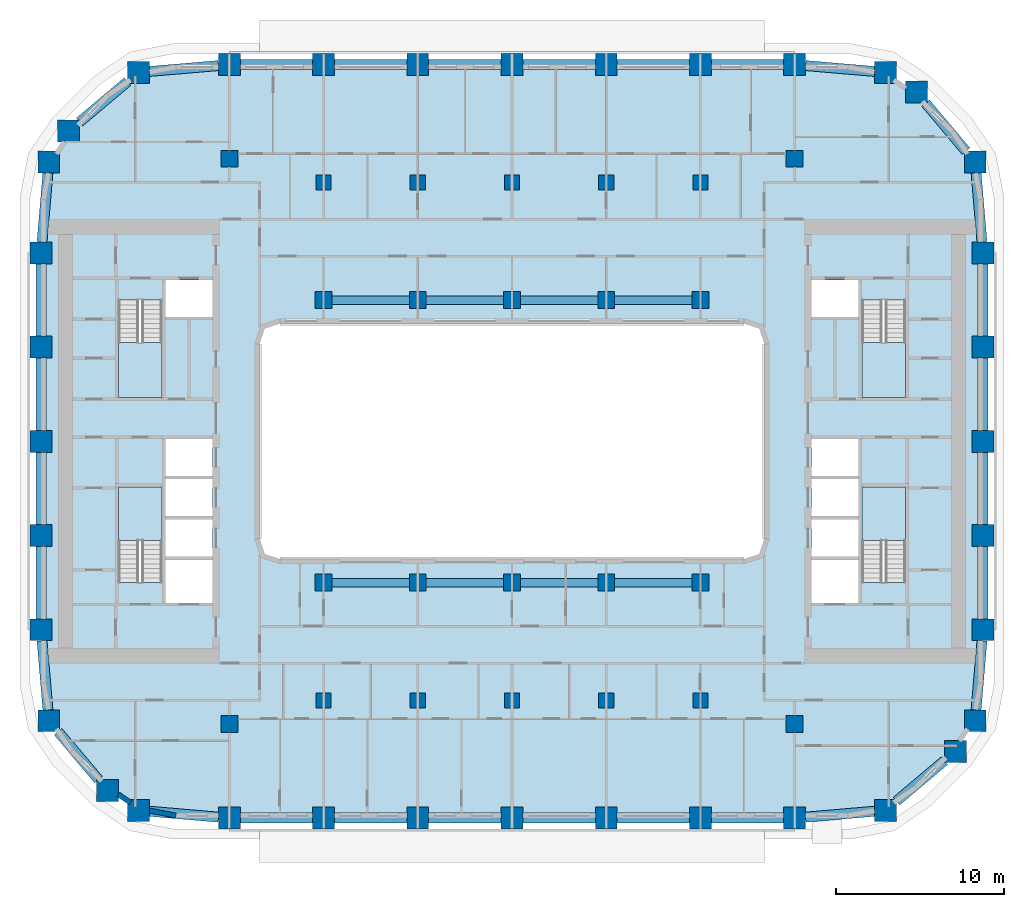
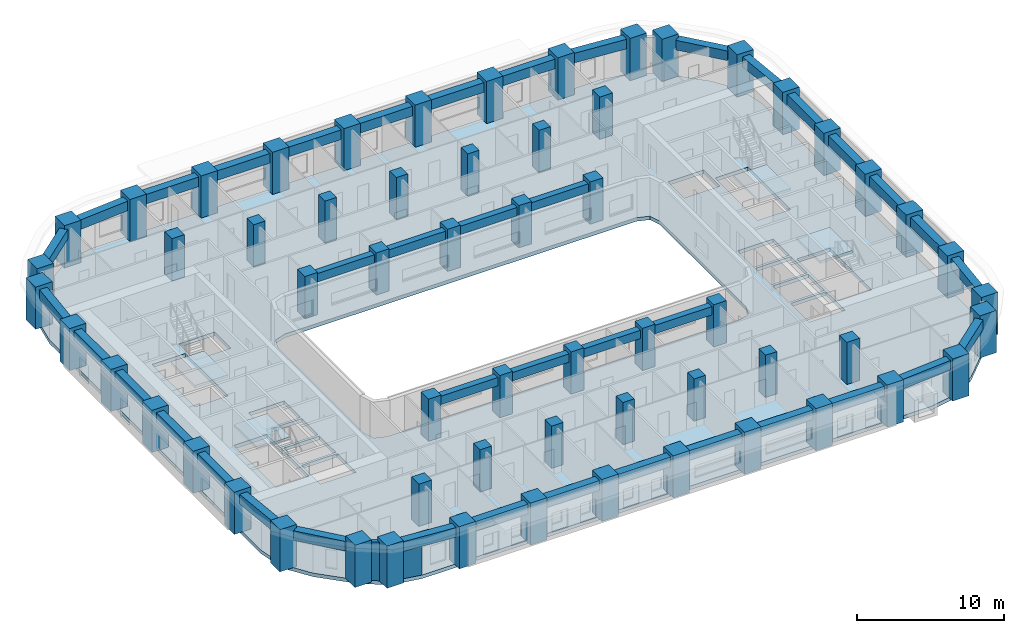
# One storey, part 1 of 23: 60 columns, 40 beams, 5 slabs, 2 walls, 4 elements without a shape of their own.
"""IFC4 building model written with IfcOpenShell, lengths in metres."""

from ifc_helpers import new_model, si_unit, direction, frame, frame_2d, origin, origin_2d, place, context, subcontext, project, spatial, polyline, rectangle, outline, extrude, material, layer, layer_set, material_profile, profile_set, type_object, element, aggregate, save


model = new_model("IFC4")

# Units and contexts
model_context = context("Model", 3, precision=1e-05, world=origin(), true_north=direction((0.0, 1.0)))
body_context = subcontext(model_context, "Body", "Model", "MODEL_VIEW")
ifc_project = project(units=[si_unit("LENGTHUNIT", "METRE"), si_unit("AREAUNIT", "SQUARE_METRE"), si_unit("VOLUMEUNIT", "CUBIC_METRE"), si_unit("PLANEANGLEUNIT", "RADIAN"), si_unit("MASSUNIT", "GRAM", prefix="KILO")], contexts=[model_context])

# Site, building, storey
site_placement = place(None, origin())
site = spatial("IfcSite", under=ifc_project, at=site_placement, CompositionType="ELEMENT")
building_placement = place(site_placement, origin())
building = spatial("IfcBuilding", under=site, at=building_placement, Name="Kiln Ring Residences", CompositionType="ELEMENT")
storey_placement = place(building_placement, frame((0.0, 0.0, 86.800048828125)))
storey = spatial("IfcBuildingStorey", under=building, at=storey_placement, Name="L21", CompositionType="ELEMENT", Elevation=86.800048828125)

# Columns
ifc_material_1 = material(Name="Concrete C80/95", Category="concrete")
ifc_material_profile_1 = material_profile(ifc_material_1, rectangle(XDim=0.89990234375, YDim=0.89990234375, at=origin_2d()), Name="RC900x900")
ifc_profile_set_1 = profile_set([ifc_material_profile_1], Name="Concrete C80/95")
column_type_1 = type_object("IfcColumnType", Name="Corridor column RC900x900 C80/95", PredefinedType="COLUMN", material=ifc_profile_set_1)
for number, where, z_axis, x_axis, name in (
    (1, (-11.199951171875, 15.39990234375, 0.0), (0.0, 0.0, 1.0), (1.0, 0.0, 0.0), "Corridor column L21 1"),
    (2, (-5.60009765625, 15.39990234375, 0.0), (0.0, 0.0, 1.0), (1.0, 0.0, 0.0), "Corridor column L21 2"),
    (3, (0.0, 15.39990234375, 0.0), (0.0, 0.0, 1.0), (1.0, 0.0, 0.0), "Corridor column L21 3"),
    (4, (5.60009765625, 15.39990234375, 0.0), (0.0, 0.0, 1.0), (1.0, 0.0, 0.0), "Corridor column L21 4"),
    (5, (11.199951171875, 15.39990234375, 0.0), (0.0, 0.0, 1.0), (1.0, 0.0, 0.0), "Corridor column L21 5"),
    (6, (-11.199951171875, -15.39990234375, 0.0), (0.0, 0.0, 1.0), (1.0, 0.0, 0.0), "Corridor column L21 6"),
    (7, (-5.60009765625, -15.39990234375, 0.0), (0.0, 0.0, 1.0), (1.0, 0.0, 0.0), "Corridor column L21 7"),
    (8, (0.0, -15.39990234375, 0.0), (0.0, 0.0, 1.0), (1.0, 0.0, 0.0), "Corridor column L21 8"),
    (9, (5.60009765625, -15.39990234375, 0.0), (0.0, 0.0, 1.0), (1.0, 0.0, 0.0), "Corridor column L21 9"),
    (10, (11.199951171875, -15.39990234375, 0.0), (0.0, 0.0, 1.0), (1.0, 0.0, 0.0), "Corridor column L21 10"),
):
    element("IfcColumn", number, at=place(storey_placement, frame(where, z_axis=z_axis, x_axis=x_axis)), inside=storey, type_object=column_type_1, Name=name, PredefinedType="COLUMN", context=body_context, shape_type="SweptSolid", body=[
        extrude(rectangle(XDim=0.89990234375, YDim=0.89990234375, at=origin_2d()), origin(), (0.0, 0.0, 1.0), 3.5),
    ])
ifc_material_2 = material(Name="Concrete C80/95", Category="concrete")
ifc_material_profile_2 = material_profile(ifc_material_2, rectangle(XDim=1.300048828125, YDim=1.300048828125, at=origin_2d()), Name="RC1300x1300")
ifc_profile_set_2 = profile_set([ifc_material_profile_2], Name="Concrete C80/95")
column_type_2 = type_object("IfcColumnType", Name="Perimeter column RC1300x1300 C80/95", PredefinedType="COLUMN", material=ifc_profile_set_2)
for number, where, z_axis, x_axis, name in (
    (11, (-22.208740234375, -21.93798828125, 0.0), (0.0, 0.0, 1.0), (1.0, 0.0, 0.0), "Perimeter column L21 1"),
    (12, (-16.800048828125, -22.39990234375, 0.0), (0.0, 0.0, 1.0), (1.0, 0.0, 0.0), "Perimeter column L21 2"),
    (13, (-11.199951171875, -22.39990234375, 0.0), (0.0, 0.0, 1.0), (1.0, 0.0, 0.0), "Perimeter column L21 3"),
    (14, (-5.60009765625, -22.39990234375, 0.0), (0.0, 0.0, 1.0), (1.0, 0.0, 0.0), "Perimeter column L21 4"),
    (15, (0.0, -22.39990234375, 0.0), (0.0, 0.0, 1.0), (1.0, 0.0, 0.0), "Perimeter column L21 5"),
    (16, (5.60009765625, -22.39990234375, 0.0), (0.0, 0.0, 1.0), (1.0, 0.0, 0.0), "Perimeter column L21 6"),
    (17, (11.199951171875, -22.39990234375, 0.0), (0.0, 0.0, 1.0), (1.0, 0.0, 0.0), "Perimeter column L21 7"),
    (18, (16.800048828125, -22.39990234375, 0.0), (0.0, 0.0, 1.0), (1.0, 0.0, 0.0), "Perimeter column L21 8"),
    (19, (22.208740234375, -21.93798828125, 0.0), (0.0, 0.0, 1.0), (1.0, 0.0, 0.0), "Perimeter column L21 9"),
    (20, (26.35986328125, -18.440185546875, 0.0), (0.0, 0.0, 1.0), (1.0, 0.0, 0.0), "Perimeter column L21 10"),
    (21, (27.5380859375, -16.608642578125, 0.0), (0.0, 0.0, 1.0), (1.0, 0.0, 0.0), "Perimeter column L21 11"),
    (22, (28.0, -11.199951171875, 0.0), (0.0, 0.0, 1.0), (1.0, 0.0, 0.0), "Perimeter column L21 12"),
    (23, (28.0, -5.60009765625, 0.0), (0.0, 0.0, 1.0), (1.0, 0.0, 0.0), "Perimeter column L21 13"),
    (24, (28.0, 0.0, 0.0), (0.0, 0.0, 1.0), (1.0, 0.0, 0.0), "Perimeter column L21 14"),
    (25, (28.0, 5.60009765625, 0.0), (0.0, 0.0, 1.0), (1.0, 0.0, 0.0), "Perimeter column L21 15"),
    (26, (28.0, 11.199951171875, 0.0), (0.0, 0.0, 1.0), (1.0, 0.0, 0.0), "Perimeter column L21 16"),
    (27, (27.5380859375, 16.608642578125, 0.0), (0.0, 0.0, 1.0), (1.0, 0.0, 0.0), "Perimeter column L21 17"),
    (28, (24.040283203125, 20.759765625, 0.0), (0.0, 0.0, 1.0), (1.0, 0.0, 0.0), "Perimeter column L21 18"),
    (29, (22.208740234375, 21.93798828125, 0.0), (0.0, 0.0, 1.0), (1.0, 0.0, 0.0), "Perimeter column L21 19"),
    (30, (16.800048828125, 22.39990234375, 0.0), (0.0, 0.0, 1.0), (1.0, 0.0, 0.0), "Perimeter column L21 20"),
    (31, (11.199951171875, 22.39990234375, 0.0), (0.0, 0.0, 1.0), (1.0, 0.0, 0.0), "Perimeter column L21 21"),
    (32, (5.60009765625, 22.39990234375, 0.0), (0.0, 0.0, 1.0), (1.0, 0.0, 0.0), "Perimeter column L21 22"),
    (33, (0.0, 22.39990234375, 0.0), (0.0, 0.0, 1.0), (1.0, 0.0, 0.0), "Perimeter column L21 23"),
    (34, (-5.60009765625, 22.39990234375, 0.0), (0.0, 0.0, 1.0), (1.0, 0.0, 0.0), "Perimeter column L21 24"),
    (35, (-11.199951171875, 22.39990234375, 0.0), (0.0, 0.0, 1.0), (1.0, 0.0, 0.0), "Perimeter column L21 25"),
    (36, (-16.800048828125, 22.39990234375, 0.0), (0.0, 0.0, 1.0), (1.0, 0.0, 0.0), "Perimeter column L21 26"),
    (37, (-22.208740234375, 21.93798828125, 0.0), (0.0, 0.0, 1.0), (1.0, 0.0, 0.0), "Perimeter column L21 27"),
    (38, (-26.35986328125, 18.440185546875, 0.0), (0.0, 0.0, 1.0), (1.0, 0.0, 0.0), "Perimeter column L21 28"),
    (39, (-27.5380859375, 16.608642578125, 0.0), (0.0, 0.0, 1.0), (1.0, 0.0, 0.0), "Perimeter column L21 29"),
    (40, (-28.0, 11.199951171875, 0.0), (0.0, 0.0, 1.0), (1.0, 0.0, 0.0), "Perimeter column L21 30"),
    (41, (-28.0, 5.60009765625, 0.0), (0.0, 0.0, 1.0), (1.0, 0.0, 0.0), "Perimeter column L21 31"),
    (42, (-28.0, 0.0, 0.0), (0.0, 0.0, 1.0), (1.0, 0.0, 0.0), "Perimeter column L21 32"),
    (43, (-28.0, -5.60009765625, 0.0), (0.0, 0.0, 1.0), (1.0, 0.0, 0.0), "Perimeter column L21 33"),
    (44, (-28.0, -11.199951171875, 0.0), (0.0, 0.0, 1.0), (1.0, 0.0, 0.0), "Perimeter column L21 34"),
    (45, (-27.5380859375, -16.608642578125, 0.0), (0.0, 0.0, 1.0), (1.0, 0.0, 0.0), "Perimeter column L21 35"),
    (46, (-24.040283203125, -20.759765625, 0.0), (0.0, 0.0, 1.0), (1.0, 0.0, 0.0), "Perimeter column L21 36"),
):
    element("IfcColumn", number, at=place(storey_placement, frame(where, z_axis=z_axis, x_axis=x_axis)), inside=storey, type_object=column_type_2, Name=name, PredefinedType="COLUMN", context=body_context, shape_type="SweptSolid", body=[
        extrude(rectangle(XDim=1.300048828125, YDim=1.300048828125, at=origin_2d()), origin(), (0.0, 0.0, 1.0), 3.5),
    ])
ifc_material_3 = material(Name="Concrete C80/95", Category="concrete")
ifc_material_profile_3 = material_profile(ifc_material_3, rectangle(XDim=1.0, YDim=1.0, at=origin_2d()), Name="RC1000x1000")
ifc_profile_set_3 = profile_set([ifc_material_profile_3], Name="Concrete C80/95")
column_type_3 = type_object("IfcColumnType", Name="Ring column RC1000x1000 C80/95", PredefinedType="COLUMN", material=ifc_profile_set_3)
for number, where, z_axis, x_axis, name in (
    (47, (-16.800048828125, -16.800048828125, 0.0), (0.0, 0.0, 1.0), (1.0, 0.0, 0.0), "Ring column L21 1"),
    (48, (-16.800048828125, 16.800048828125, 0.0), (0.0, 0.0, 1.0), (1.0, 0.0, 0.0), "Ring column L21 2"),
    (49, (-11.199951171875, -8.39990234375, 0.0), (0.0, 0.0, 1.0), (1.0, 0.0, 0.0), "Ring column L21 3"),
    (50, (-11.199951171875, 8.39990234375, 0.0), (0.0, 0.0, 1.0), (1.0, 0.0, 0.0), "Ring column L21 4"),
    (51, (-5.60009765625, -8.39990234375, 0.0), (0.0, 0.0, 1.0), (1.0, 0.0, 0.0), "Ring column L21 5"),
    (52, (-5.60009765625, 8.39990234375, 0.0), (0.0, 0.0, 1.0), (1.0, 0.0, 0.0), "Ring column L21 6"),
    (53, (0.0, -8.39990234375, 0.0), (0.0, 0.0, 1.0), (1.0, 0.0, 0.0), "Ring column L21 7"),
    (54, (0.0, 8.39990234375, 0.0), (0.0, 0.0, 1.0), (1.0, 0.0, 0.0), "Ring column L21 8"),
    (55, (5.60009765625, -8.39990234375, 0.0), (0.0, 0.0, 1.0), (1.0, 0.0, 0.0), "Ring column L21 9"),
    (56, (5.60009765625, 8.39990234375, 0.0), (0.0, 0.0, 1.0), (1.0, 0.0, 0.0), "Ring column L21 10"),
    (57, (11.199951171875, -8.39990234375, 0.0), (0.0, 0.0, 1.0), (1.0, 0.0, 0.0), "Ring column L21 11"),
    (58, (11.199951171875, 8.39990234375, 0.0), (0.0, 0.0, 1.0), (1.0, 0.0, 0.0), "Ring column L21 12"),
    (59, (16.800048828125, -16.800048828125, 0.0), (0.0, 0.0, 1.0), (1.0, 0.0, 0.0), "Ring column L21 13"),
    (60, (16.800048828125, 16.800048828125, 0.0), (0.0, 0.0, 1.0), (1.0, 0.0, 0.0), "Ring column L21 14"),
):
    element("IfcColumn", number, at=place(storey_placement, frame(where, z_axis=z_axis, x_axis=x_axis)), inside=storey, type_object=column_type_3, Name=name, PredefinedType="COLUMN", context=body_context, shape_type="SweptSolid", body=[
        extrude(rectangle(XDim=1.0, YDim=1.0, at=origin_2d()), origin(), (0.0, 0.0, 1.0), 3.5),
    ])

# Beams
ifc_material_4 = material(Name="Concrete C50/60", Category="concrete")
ifc_material_profile_4 = material_profile(ifc_material_4, rectangle(XDim=0.5, YDim=0.699951171875, at=origin_2d()), Name="RC500x700")
ifc_profile_set_4 = profile_set([ifc_material_profile_4], Name="Concrete C50/60")
beam_type_1 = type_object("IfcBeamType", Name="Ring beam RC500x700 C50/60", PredefinedType="BEAM", material=ifc_profile_set_4)
beam_1_placement = place(storey_placement, frame((-10.699951171875, -8.39990234375, 2.849853515625), z_axis=(1.0, 0.0, 0.0), x_axis=(0.0, 1.0, 0.0)))
element("IfcBeam", 61, at=beam_1_placement, inside=storey, type_object=beam_type_1, Name="Ring beam L21 1", PredefinedType="BEAM", context=body_context, shape_type="SweptSolid", body=[
    extrude(rectangle(XDim=0.5, YDim=0.699951171875, at=origin_2d()), origin(), (0.0, 0.0, 1.0), 4.599853515625),
])
for number, where, z_axis, x_axis, name in (
    (62, (-5.10009765625, -8.39990234375, 2.849853515625), (1.0, 0.0, 0.0), (0.0, 1.0, 0.0), "Ring beam L21 2"),
    (63, (0.5, -8.39990234375, 2.849853515625), (1.0, 0.0, 0.0), (0.0, 1.0, 0.0), "Ring beam L21 3"),
):
    element("IfcBeam", number, at=place(storey_placement, frame(where, z_axis=z_axis, x_axis=x_axis)), inside=storey, type_object=beam_type_1, Name=name, PredefinedType="BEAM", context=body_context, shape_type="SweptSolid", body=[
        extrude(rectangle(XDim=0.5, YDim=0.699951171875, at=origin_2d()), origin(), (0.0, 0.0, 1.0), 4.60009765625),
    ])
for number, where, z_axis, x_axis, name in (
    (64, (6.10009765625, -8.39990234375, 2.849853515625), (1.0, 0.0, 0.0), (0.0, 1.0, 0.0), "Ring beam L21 4"),
    (65, (-10.699951171875, 8.39990234375, 2.849853515625), (1.0, 0.0, 0.0), (0.0, 1.0, 0.0), "Ring beam L21 5"),
):
    element("IfcBeam", number, at=place(storey_placement, frame(where, z_axis=z_axis, x_axis=x_axis)), inside=storey, type_object=beam_type_1, Name=name, PredefinedType="BEAM", context=body_context, shape_type="SweptSolid", body=[
        extrude(rectangle(XDim=0.5, YDim=0.699951171875, at=origin_2d()), origin(), (0.0, 0.0, 1.0), 4.599853515625),
    ])
for number, where, z_axis, x_axis, name in (
    (66, (-5.10009765625, 8.39990234375, 2.849853515625), (1.0, 0.0, 0.0), (0.0, 1.0, 0.0), "Ring beam L21 6"),
    (67, (0.5, 8.39990234375, 2.849853515625), (1.0, 0.0, 0.0), (0.0, 1.0, 0.0), "Ring beam L21 7"),
):
    element("IfcBeam", number, at=place(storey_placement, frame(where, z_axis=z_axis, x_axis=x_axis)), inside=storey, type_object=beam_type_1, Name=name, PredefinedType="BEAM", context=body_context, shape_type="SweptSolid", body=[
        extrude(rectangle(XDim=0.5, YDim=0.699951171875, at=origin_2d()), origin(), (0.0, 0.0, 1.0), 4.60009765625),
    ])
beam_2_placement = place(storey_placement, frame((6.10009765625, 8.39990234375, 2.849853515625), z_axis=(1.0, 0.0, 0.0), x_axis=(0.0, 1.0, 0.0)))
element("IfcBeam", 68, at=beam_2_placement, inside=storey, type_object=beam_type_1, Name="Ring beam L21 8", PredefinedType="BEAM", context=body_context, shape_type="SweptSolid", body=[
    extrude(rectangle(XDim=0.5, YDim=0.699951171875, at=origin_2d()), origin(), (0.0, 0.0, 1.0), 4.599853515625),
])
ifc_material_5 = material(Name="Concrete C50/60", Category="concrete")
ifc_material_profile_5 = material_profile(ifc_material_5, rectangle(XDim=0.60009765625, YDim=0.800048828125, at=origin_2d()), Name="RC600x800")
ifc_profile_set_5 = profile_set([ifc_material_profile_5], Name="Concrete C50/60")
beam_type_2 = type_object("IfcBeamType", Name="Spandrel beam RC600x800 C50/60", PredefinedType="SPANDREL", material=ifc_profile_set_5)
beam_3_placement = place(storey_placement, frame((-21.55859375, -21.99365234375, 2.800048828125), z_axis=(0.99637423264, -0.085078719609, 0.0), x_axis=(0.085078719609, 0.99637423264, 0.0)))
element("IfcBeam", 69, at=beam_3_placement, inside=storey, type_object=beam_type_2, Name="Spandrel beam L21 1", PredefinedType="SPANDREL", context=body_context, shape_type="SweptSolid", body=[
    extrude(rectangle(XDim=0.60009765625, YDim=0.800048828125, at=origin_2d()), origin(), (0.0, 0.0, 1.0), 4.12353515625),
])
beam_4_placement = place(storey_placement, frame((-16.14990234375, -22.39990234375, 2.800048828125), z_axis=(1.0, 0.0, 0.0), x_axis=(0.0, 1.0, 0.0)))
element("IfcBeam", 70, at=beam_4_placement, inside=storey, type_object=beam_type_2, Name="Spandrel beam L21 2", PredefinedType="SPANDREL", context=body_context, shape_type="SweptSolid", body=[
    extrude(rectangle(XDim=0.60009765625, YDim=0.800048828125, at=origin_2d()), origin(), (0.0, 0.0, 1.0), 4.2998046875),
])
for number, where, z_axis, x_axis, name in (
    (71, (-10.550048828125, -22.39990234375, 2.800048828125), (1.0, 0.0, 0.0), (0.0, 1.0, 0.0), "Spandrel beam L21 3"),
    (72, (-4.949951171875, -22.39990234375, 2.800048828125), (1.0, 0.0, 0.0), (0.0, 1.0, 0.0), "Spandrel beam L21 4"),
    (73, (0.64990234375, -22.39990234375, 2.800048828125), (1.0, 0.0, 0.0), (0.0, 1.0, 0.0), "Spandrel beam L21 5"),
    (74, (6.25, -22.39990234375, 2.800048828125), (1.0, 0.0, 0.0), (0.0, 1.0, 0.0), "Spandrel beam L21 6"),
):
    element("IfcBeam", number, at=place(storey_placement, frame(where, z_axis=z_axis, x_axis=x_axis)), inside=storey, type_object=beam_type_2, Name=name, PredefinedType="SPANDREL", context=body_context, shape_type="SweptSolid", body=[
        extrude(rectangle(XDim=0.60009765625, YDim=0.800048828125, at=origin_2d()), origin(), (0.0, 0.0, 1.0), 4.300048828125),
    ])
beam_5_placement = place(storey_placement, frame((11.85009765625, -22.39990234375, 2.800048828125), z_axis=(1.0, 0.0, 0.0), x_axis=(0.0, 1.0, 0.0)))
element("IfcBeam", 75, at=beam_5_placement, inside=storey, type_object=beam_type_2, Name="Spandrel beam L21 7", PredefinedType="SPANDREL", context=body_context, shape_type="SweptSolid", body=[
    extrude(rectangle(XDim=0.60009765625, YDim=0.800048828125, at=origin_2d()), origin(), (0.0, 0.0, 1.0), 4.2998046875),
])
beam_6_placement = place(storey_placement, frame((17.449951171875, -22.344482421875, 2.800048828125), z_axis=(0.99637423264, 0.085078719609, 0.0), x_axis=(-0.085078719609, 0.99637423264, 0.0)))
element("IfcBeam", 76, at=beam_6_placement, inside=storey, type_object=beam_type_2, Name="Spandrel beam L21 8", PredefinedType="SPANDREL", context=body_context, shape_type="SweptSolid", body=[
    extrude(rectangle(XDim=0.60009765625, YDim=0.800048828125, at=origin_2d()), origin(), (0.0, 0.0, 1.0), 4.12353515625),
])
beam_7_placement = place(storey_placement, frame((22.858642578125, -21.390380859375, 2.800048828125), z_axis=(0.764720974908, 0.644361568171, 0.0), x_axis=(-0.644361568171, 0.764720974908, 0.0)))
element("IfcBeam", 77, at=beam_7_placement, inside=storey, type_object=beam_type_2, Name="Spandrel beam L21 9", PredefinedType="SPANDREL", context=body_context, shape_type="SweptSolid", body=[
    extrude(rectangle(XDim=0.60009765625, YDim=0.800048828125, at=origin_2d()), origin(), (0.0, 0.0, 1.0), 3.728271484375),
])
beam_8_placement = place(storey_placement, frame((27.593505859375, -15.958740234375, 2.800048828125), z_axis=(0.0851374964, 0.996369212043, 0.0), x_axis=(-0.996369212043, 0.0851374964, 0.0)))
element("IfcBeam", 78, at=beam_8_placement, inside=storey, type_object=beam_type_2, Name="Spandrel beam L21 10", PredefinedType="SPANDREL", context=body_context, shape_type="SweptSolid", body=[
    extrude(rectangle(XDim=0.60009765625, YDim=0.800048828125, at=origin_2d()), origin(), (0.0, 0.0, 1.0), 4.12353515625),
])
for number, where, z_axis, x_axis, name in (
    (79, (28.0, -10.550048828125, 2.800048828125), (0.0, 1.0, 0.0), (-1.0, 0.0, 0.0), "Spandrel beam L21 11"),
    (80, (28.0, -4.949951171875, 2.800048828125), (0.0, 1.0, 0.0), (-1.0, 0.0, 0.0), "Spandrel beam L21 12"),
    (81, (28.0, 0.64990234375, 2.800048828125), (0.0, 1.0, 0.0), (-1.0, 0.0, 0.0), "Spandrel beam L21 13"),
    (82, (28.0, 6.25, 2.800048828125), (0.0, 1.0, 0.0), (-1.0, 0.0, 0.0), "Spandrel beam L21 14"),
):
    element("IfcBeam", number, at=place(storey_placement, frame(where, z_axis=z_axis, x_axis=x_axis)), inside=storey, type_object=beam_type_2, Name=name, PredefinedType="SPANDREL", context=body_context, shape_type="SweptSolid", body=[
        extrude(rectangle(XDim=0.60009765625, YDim=0.800048828125, at=origin_2d()), origin(), (0.0, 0.0, 1.0), 4.300048828125),
    ])
beam_9_placement = place(storey_placement, frame((27.944580078125, 11.85009765625, 2.800048828125), z_axis=(-0.0851374964, 0.996369212043, 0.0), x_axis=(-0.996369212043, -0.0851374964, 0.0)))
element("IfcBeam", 83, at=beam_9_placement, inside=storey, type_object=beam_type_2, Name="Spandrel beam L21 15", PredefinedType="SPANDREL", context=body_context, shape_type="SweptSolid", body=[
    extrude(rectangle(XDim=0.60009765625, YDim=0.800048828125, at=origin_2d()), origin(), (0.0, 0.0, 1.0), 4.12353515625),
])
beam_10_placement = place(storey_placement, frame((26.990478515625, 17.2587890625, 2.800048828125), z_axis=(-0.644399860611, 0.764688707674, 0.0), x_axis=(-0.764688707674, -0.644399860611, 0.0)))
element("IfcBeam", 84, at=beam_10_placement, inside=storey, type_object=beam_type_2, Name="Spandrel beam L21 16", PredefinedType="SPANDREL", context=body_context, shape_type="SweptSolid", body=[
    extrude(rectangle(XDim=0.60009765625, YDim=0.800048828125, at=origin_2d()), origin(), (0.0, 0.0, 1.0), 3.728515625),
])
beam_11_placement = place(storey_placement, frame((21.55859375, 21.99365234375, 2.800048828125), z_axis=(-0.99637423264, 0.085078719609, 0.0), x_axis=(-0.085078719609, -0.99637423264, 0.0)))
element("IfcBeam", 85, at=beam_11_placement, inside=storey, type_object=beam_type_2, Name="Spandrel beam L21 17", PredefinedType="SPANDREL", context=body_context, shape_type="SweptSolid", body=[
    extrude(rectangle(XDim=0.60009765625, YDim=0.800048828125, at=origin_2d()), origin(), (0.0, 0.0, 1.0), 4.12353515625),
])
beam_12_placement = place(storey_placement, frame((16.14990234375, 22.39990234375, 2.800048828125), z_axis=(-1.0, 0.0, 0.0), x_axis=(0.0, -1.0, 0.0)))
element("IfcBeam", 86, at=beam_12_placement, inside=storey, type_object=beam_type_2, Name="Spandrel beam L21 18", PredefinedType="SPANDREL", context=body_context, shape_type="SweptSolid", body=[
    extrude(rectangle(XDim=0.60009765625, YDim=0.800048828125, at=origin_2d()), origin(), (0.0, 0.0, 1.0), 4.2998046875),
])
for number, where, z_axis, x_axis, name in (
    (87, (10.550048828125, 22.39990234375, 2.800048828125), (-1.0, 0.0, 0.0), (0.0, -1.0, 0.0), "Spandrel beam L21 19"),
    (88, (4.949951171875, 22.39990234375, 2.800048828125), (-1.0, 0.0, 0.0), (0.0, -1.0, 0.0), "Spandrel beam L21 20"),
    (89, (-0.64990234375, 22.39990234375, 2.800048828125), (-1.0, 0.0, 0.0), (0.0, -1.0, 0.0), "Spandrel beam L21 21"),
    (90, (-6.25, 22.39990234375, 2.800048828125), (-1.0, 0.0, 0.0), (0.0, -1.0, 0.0), "Spandrel beam L21 22"),
):
    element("IfcBeam", number, at=place(storey_placement, frame(where, z_axis=z_axis, x_axis=x_axis)), inside=storey, type_object=beam_type_2, Name=name, PredefinedType="SPANDREL", context=body_context, shape_type="SweptSolid", body=[
        extrude(rectangle(XDim=0.60009765625, YDim=0.800048828125, at=origin_2d()), origin(), (0.0, 0.0, 1.0), 4.300048828125),
    ])
beam_13_placement = place(storey_placement, frame((-11.85009765625, 22.39990234375, 2.800048828125), z_axis=(-1.0, 0.0, 0.0), x_axis=(0.0, -1.0, 0.0)))
element("IfcBeam", 91, at=beam_13_placement, inside=storey, type_object=beam_type_2, Name="Spandrel beam L21 23", PredefinedType="SPANDREL", context=body_context, shape_type="SweptSolid", body=[
    extrude(rectangle(XDim=0.60009765625, YDim=0.800048828125, at=origin_2d()), origin(), (0.0, 0.0, 1.0), 4.2998046875),
])
beam_14_placement = place(storey_placement, frame((-17.449951171875, 22.344482421875, 2.800048828125), z_axis=(-0.99637423264, -0.085078719609, 0.0), x_axis=(0.085078719609, -0.99637423264, 0.0)))
element("IfcBeam", 92, at=beam_14_placement, inside=storey, type_object=beam_type_2, Name="Spandrel beam L21 24", PredefinedType="SPANDREL", context=body_context, shape_type="SweptSolid", body=[
    extrude(rectangle(XDim=0.60009765625, YDim=0.800048828125, at=origin_2d()), origin(), (0.0, 0.0, 1.0), 4.12353515625),
])
beam_15_placement = place(storey_placement, frame((-22.858642578125, 21.390380859375, 2.800048828125), z_axis=(-0.764720974908, -0.644361568171, 0.0), x_axis=(0.644361568171, -0.764720974908, 0.0)))
element("IfcBeam", 93, at=beam_15_placement, inside=storey, type_object=beam_type_2, Name="Spandrel beam L21 25", PredefinedType="SPANDREL", context=body_context, shape_type="SweptSolid", body=[
    extrude(rectangle(XDim=0.60009765625, YDim=0.800048828125, at=origin_2d()), origin(), (0.0, 0.0, 1.0), 3.728271484375),
])
beam_16_placement = place(storey_placement, frame((-27.593505859375, 15.958740234375, 2.800048828125), z_axis=(-0.0851374964, -0.996369212043, 0.0), x_axis=(0.996369212043, -0.0851374964, 0.0)))
element("IfcBeam", 94, at=beam_16_placement, inside=storey, type_object=beam_type_2, Name="Spandrel beam L21 26", PredefinedType="SPANDREL", context=body_context, shape_type="SweptSolid", body=[
    extrude(rectangle(XDim=0.60009765625, YDim=0.800048828125, at=origin_2d()), origin(), (0.0, 0.0, 1.0), 4.12353515625),
])
for number, where, z_axis, x_axis, name in (
    (95, (-28.0, 10.550048828125, 2.800048828125), (0.0, -1.0, 0.0), (1.0, 0.0, 0.0), "Spandrel beam L21 27"),
    (96, (-28.0, 4.949951171875, 2.800048828125), (0.0, -1.0, 0.0), (1.0, 0.0, 0.0), "Spandrel beam L21 28"),
    (97, (-28.0, -0.64990234375, 2.800048828125), (0.0, -1.0, 0.0), (1.0, 0.0, 0.0), "Spandrel beam L21 29"),
    (98, (-28.0, -6.25, 2.800048828125), (0.0, -1.0, 0.0), (1.0, 0.0, 0.0), "Spandrel beam L21 30"),
):
    element("IfcBeam", number, at=place(storey_placement, frame(where, z_axis=z_axis, x_axis=x_axis)), inside=storey, type_object=beam_type_2, Name=name, PredefinedType="SPANDREL", context=body_context, shape_type="SweptSolid", body=[
        extrude(rectangle(XDim=0.60009765625, YDim=0.800048828125, at=origin_2d()), origin(), (0.0, 0.0, 1.0), 4.300048828125),
    ])
beam_17_placement = place(storey_placement, frame((-27.944580078125, -11.85009765625, 2.800048828125), z_axis=(0.0851374964, -0.996369212043, 0.0), x_axis=(0.996369212043, 0.0851374964, 0.0)))
element("IfcBeam", 99, at=beam_17_placement, inside=storey, type_object=beam_type_2, Name="Spandrel beam L21 31", PredefinedType="SPANDREL", context=body_context, shape_type="SweptSolid", body=[
    extrude(rectangle(XDim=0.60009765625, YDim=0.800048828125, at=origin_2d()), origin(), (0.0, 0.0, 1.0), 4.12353515625),
])
beam_18_placement = place(storey_placement, frame((-26.990478515625, -17.2587890625, 2.800048828125), z_axis=(0.644399860611, -0.764688707674, 0.0), x_axis=(0.764688707674, 0.644399860611, 0.0)))
element("IfcBeam", 100, at=beam_18_placement, inside=storey, type_object=beam_type_2, Name="Spandrel beam L21 32", PredefinedType="SPANDREL", context=body_context, shape_type="SweptSolid", body=[
    extrude(rectangle(XDim=0.60009765625, YDim=0.800048828125, at=origin_2d()), origin(), (0.0, 0.0, 1.0), 3.728515625),
])

# Stair, slab
ifc_material_6 = material(Name="Concrete C40/50", Category="concrete")
stair_type = type_object("IfcStairType", Name="CORE-STAIR", PredefinedType="HALF_TURN_STAIR", material=ifc_material_6)
placement_1 = place(storey_placement, origin())
stair_1 = element("IfcStair", 101, at=placement_1, inside=storey, type_object=stair_type, Name="L21 stair W-STN", PredefinedType="HALF_TURN_STAIR")
ifc_material_7 = material(Name="Concrete C40/50", Category="concrete")
ifc_layer_1 = layer(ifc_material_7, 0.199951171875)
ifc_layer_set_1 = layer_set([ifc_layer_1], Name="CORE-STAIR-LANDING")
slab_type_1 = type_object("IfcSlabType", Name="CORE-STAIR-LANDING", PredefinedType="LANDING", material=ifc_layer_set_1)
placement_2 = place(storey_placement, frame((0.0, 0.0, 1.550048828125)))
slab_1 = element("IfcSlab", 102, at=placement_2, type_object=slab_type_1, Name="W-STN landing 1", PredefinedType="LANDING", context=body_context, shape_type="SweptSolid", body=[
    extrude(outline(polyline([(-23.39990234375, 5.8798828125), (-23.39990234375, 2.60009765625), (-20.800048828125, 2.60009765625), (-20.800048828125, 5.8798828125), (-23.39990234375, 5.8798828125)])), origin(), (0.0, 0.0, 1.0), 0.199951171875),
])
aggregate(stair_1, [slab_1])

stair_2 = element("IfcStair", 103, at=placement_1, inside=storey, type_object=stair_type, Name="L21 stair W-STS", PredefinedType="HALF_TURN_STAIR")
slab_2 = element("IfcSlab", 104, at=placement_2, type_object=slab_type_1, Name="W-STS landing 1", PredefinedType="LANDING", context=body_context, shape_type="SweptSolid", body=[
    extrude(outline(polyline([(-20.800048828125, -5.8798828125), (-20.800048828125, -2.699951171875), (-23.39990234375, -2.699951171875), (-23.39990234375, -5.8798828125), (-20.800048828125, -5.8798828125)])), origin(), (0.0, 0.0, 1.0), 0.199951171875),
])
aggregate(stair_2, [slab_2])

stair_3 = element("IfcStair", 105, at=placement_1, inside=storey, type_object=stair_type, Name="L21 stair E-STN", PredefinedType="HALF_TURN_STAIR")
slab_3 = element("IfcSlab", 106, at=placement_2, type_object=slab_type_1, Name="E-STN landing 1", PredefinedType="LANDING", context=body_context, shape_type="SweptSolid", body=[
    extrude(outline(polyline([(20.800048828125, 5.8798828125), (20.800048828125, 2.60009765625), (23.39990234375, 2.60009765625), (23.39990234375, 5.8798828125), (20.800048828125, 5.8798828125)])), origin(), (0.0, 0.0, 1.0), 0.199951171875),
])
aggregate(stair_3, [slab_3])

stair_4 = element("IfcStair", 107, at=placement_1, inside=storey, type_object=stair_type, Name="L21 stair E-STS", PredefinedType="HALF_TURN_STAIR")
slab_4 = element("IfcSlab", 108, at=placement_2, type_object=slab_type_1, Name="E-STS landing 1", PredefinedType="LANDING", context=body_context, shape_type="SweptSolid", body=[
    extrude(outline(polyline([(23.39990234375, -5.8798828125), (23.39990234375, -2.699951171875), (20.800048828125, -2.699951171875), (20.800048828125, -5.8798828125), (23.39990234375, -5.8798828125)])), origin(), (0.0, 0.0, 1.0), 0.199951171875),
])
aggregate(stair_4, [slab_4])

# Slab
ifc_material_8 = material(Name="Concrete C40/50", Category="concrete")
ifc_layer_2 = layer(ifc_material_8, 0.300048828125)
ifc_layer_set_2 = layer_set([ifc_layer_2], Name="Floor slab 300")
slab_type_2 = type_object("IfcSlabType", Name="Floor slab 300", PredefinedType="FLOOR", material=ifc_layer_set_2)
slab_5_placement = place(storey_placement, frame((0.0, 0.0, -0.300048828125)))
element("IfcSlab", 109, at=slab_5_placement, inside=storey, type_object=slab_type_2, Name="Floor slab L21 1", PredefinedType="FLOOR", context=body_context, shape_type="SweptSolid", body=[
    extrude(outline(polyline([(-26.302978515625, -18.4970703125), (-24.09716796875, -20.702880859375), (-22.224365234375, -21.975830078125), (-20.0, -22.39990234375), (20.0, -22.39990234375), (22.224365234375, -21.975830078125), (24.09716796875, -20.702880859375), (26.302978515625, -18.4970703125), (27.57568359375, -16.624267578125), (28.0, -14.39990234375), (28.0, 14.39990234375), (27.57568359375, 16.624267578125), (26.302978515625, 18.4970703125), (24.09716796875, 20.702880859375), (22.224365234375, 21.975830078125), (20.0, 22.39990234375), (-20.0, 22.39990234375), (-22.224365234375, 21.975830078125), (-24.09716796875, 20.702880859375), (-26.302978515625, 18.4970703125), (-27.57568359375, 16.624267578125), (-28.0, 14.39990234375), (-28.0, -14.39990234375), (-27.57568359375, -16.624267578125), (-26.302978515625, -18.4970703125)]), holes=[polyline([(-14.699951171875, -6.699951171875), (-15.0, -5.800048828125), (-15.0, 5.800048828125), (-14.699951171875, 6.699951171875), (-13.800048828125, 7.0), (13.800048828125, 7.0), (14.699951171875, 6.699951171875), (15.0, 5.800048828125), (15.0, -5.800048828125), (14.699951171875, -6.699951171875), (13.800048828125, -7.0), (-13.800048828125, -7.0), (-14.699951171875, -6.699951171875)]), polyline([(20.800048828125, -8.39794921875), (20.800048828125, -2.699951171875), (23.39990234375, -2.699951171875), (23.39990234375, -8.39794921875), (20.800048828125, -8.39794921875)]), polyline([(20.800048828125, 2.60009765625), (20.800048828125, 8.39794921875), (23.39990234375, 8.39794921875), (23.39990234375, 2.60009765625), (20.800048828125, 2.60009765625)]), polyline([(17.800048828125, -6.85009765625), (17.800048828125, -4.64990234375), (20.60009765625, -4.64990234375), (20.60009765625, -6.85009765625), (17.800048828125, -6.85009765625)]), polyline([(17.800048828125, -4.449951171875), (17.800048828125, -2.25), (20.60009765625, -2.25), (20.60009765625, -4.449951171875), (17.800048828125, -4.449951171875)]), polyline([(17.800048828125, -2.050048828125), (17.800048828125, 0.14990234375), (20.60009765625, 0.14990234375), (20.60009765625, -2.050048828125), (17.800048828125, -2.050048828125)]), polyline([(17.800048828125, 7.39990234375), (17.800048828125, 9.60009765625), (20.60009765625, 9.60009765625), (20.60009765625, 7.39990234375), (17.800048828125, 7.39990234375)]), polyline([(20.60009765625, -9.60009765625), (17.800048828125, -9.60009765625), (17.800048828125, -7.050048828125), (20.60009765625, -7.050048828125), (20.60009765625, -9.60009765625)]), polyline([(-17.800048828125, -7.050048828125), (-17.800048828125, -9.60009765625), (-20.60009765625, -9.60009765625), (-20.60009765625, -7.050048828125), (-17.800048828125, -7.050048828125)]), polyline([(-17.800048828125, -6.85009765625), (-20.60009765625, -6.85009765625), (-20.60009765625, -4.64990234375), (-17.800048828125, -4.64990234375), (-17.800048828125, -6.85009765625)]), polyline([(-17.800048828125, -4.449951171875), (-20.60009765625, -4.449951171875), (-20.60009765625, -2.25), (-17.800048828125, -2.25), (-17.800048828125, -4.449951171875)]), polyline([(-17.800048828125, -2.050048828125), (-20.60009765625, -2.050048828125), (-20.60009765625, 0.14990234375), (-17.800048828125, 0.14990234375), (-17.800048828125, -2.050048828125)]), polyline([(-17.800048828125, 7.39990234375), (-20.60009765625, 7.39990234375), (-20.60009765625, 9.60009765625), (-17.800048828125, 9.60009765625), (-17.800048828125, 7.39990234375)]), polyline([(-20.800048828125, -8.39794921875), (-23.39990234375, -8.39794921875), (-23.39990234375, -2.699951171875), (-20.800048828125, -2.699951171875), (-20.800048828125, -8.39794921875)]), polyline([(-20.800048828125, 2.60009765625), (-23.39990234375, 2.60009765625), (-23.39990234375, 8.39794921875), (-20.800048828125, 8.39794921875), (-20.800048828125, 2.60009765625)])]), origin(), (0.0, 0.0, 1.0), 0.300048828125),
])

# Walls
ifc_material_9 = material(Name="Brick masonry, dark clay brick", Category="masonry")
ifc_layer_3 = layer(ifc_material_9, 0.300048828125)
ifc_layer_set_3 = layer_set([ifc_layer_3], Name="EW-300 BRICK WALL")
wall_type = type_object("IfcWallType", Name="EW-300 BRICK WALL", PredefinedType="SOLIDWALL", material=ifc_layer_set_3)
wall_1_placement = place(storey_placement, frame((-23.409912109375, -20.988525390625, 0.0), z_axis=(0.0, 0.0, 1.0), x_axis=(0.827050703543, -0.562127328787, 0.0)))
element("IfcWall", 110, at=wall_1_placement, inside=storey, type_object=wall_type, Name="Facade wall L21 2", PredefinedType="SOLIDWALL", context=body_context, shape_type="SweptSolid", body=[
    extrude(rectangle(XDim=0.877197265625, YDim=0.300048828125, at=frame_2d((0.4384765625, 0.0))), origin(), (0.0, 0.0, 1.0), 3.199951171875),
])
wall_2_placement = place(storey_placement, frame((-21.549560546875, -21.95166015625, 0.0), z_axis=(0.0, 0.0, 1.0), x_axis=(0.982278644094, -0.187426426519, 0.0)))
element("IfcWall", 111, at=wall_2_placement, inside=storey, type_object=wall_type, Name="Facade wall L21 3", PredefinedType="SOLIDWALL", context=body_context, shape_type="SweptSolid", body=[
    extrude(rectangle(XDim=1.606201171875, YDim=0.300048828125, at=frame_2d((0.80322265625, 0.0))), origin(), (0.0, 0.0, 1.0), 2.39990234375),
])

save(model, "model.ifc")
